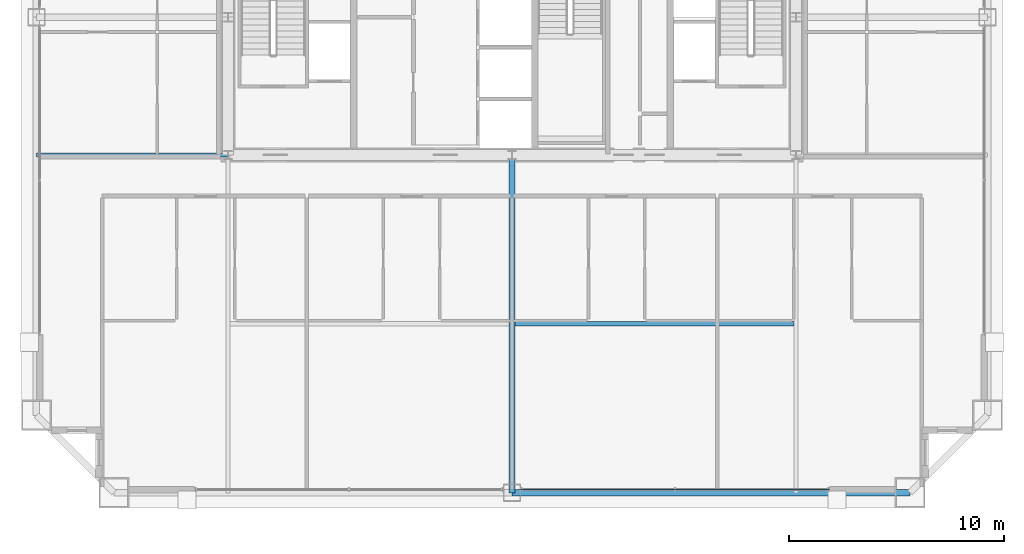
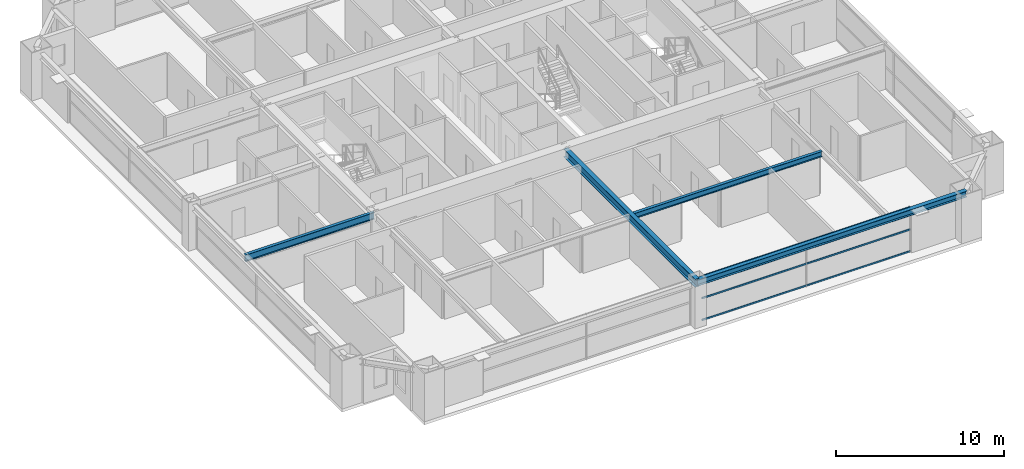
# One storey, part 11 of 38: 4 beams, 3 members, 1 element without a shape of its own.
"""IFC4 building model written with IfcOpenShell, lengths in metres."""

import ifcopenshell
import ifcopenshell.guid

model = None  # the IFC model being written
_history = None  # IfcOwnerHistory: only IFC2X3 demands one
_inside = {}  # id of a spatial element -> (the spatial element, [elements in it])
_under = {}  # id of a project, library or spatial element -> (it, [spatial elements below it])
_declared = {}  # id of a project -> (the project, [libraries it declares])
_typed = {}  # id of a type object -> (the type object, [elements of that type])
_made_of = {}  # id of a material, layer set ... -> (it, [elements and type objects made of it])


def new_model(schema):
    """Start an empty IFC model of exactly this schema.

    Asked for "IFC4X3", IfcOpenShell would pick the latest addendum, in which some entities
    have other attributes; the version numbers below select the first issue.
    IFC2X3 requires an IfcOwnerHistory on every rooted entity: one is made here for all.
    """
    global model, _history
    if schema == "IFC4X3":
        model = ifcopenshell.file(schema_version=(4, 3, 0, 0))
    else:
        model = ifcopenshell.file(schema=schema)
    _inside.clear()
    _under.clear()
    _declared.clear()
    _typed.clear()
    _made_of.clear()
    _history = None
    if model.schema == "IFC2X3":
        org = make("IfcOrganization", Name="unknown")
        user = make(
            "IfcPersonAndOrganization",
            ThePerson=make("IfcPerson", FamilyName="unknown"),
            TheOrganization=org,
        )
        app = make(
            "IfcApplication",
            ApplicationDeveloper=org,
            Version="unknown",
            ApplicationFullName="unknown",
            ApplicationIdentifier="unknown",
        )
        _history = make(
            "IfcOwnerHistory",
            OwningUser=user,
            OwningApplication=app,
            ChangeAction="ADDED",
            CreationDate=0,
        )
    return model


def make(cls, **values):
    """One entity of the class cls with the attributes given. An attribute that is None is left unset."""
    return model.create_entity(
        cls, **{name: value for name, value in values.items() if value is not None}
    )


def rooted(cls, **values):
    """An entity with a GlobalId (a new one), such as an element, a storey or a relation."""
    return make(cls, GlobalId=ifcopenshell.guid.new(), OwnerHistory=_history, **values)


def si_unit(unit_type, name, prefix=None):
    """IfcSIUnit, for example si_unit("LENGTHUNIT", "METRE", prefix="MILLI")."""
    return make("IfcSIUnit", UnitType=unit_type, Prefix=prefix, Name=name)


def assignment(units):
    """IfcUnitAssignment: the units of a project."""
    return None if units is None else make("IfcUnitAssignment", Units=units)


def point(xyz):
    """IfcCartesianPoint."""
    return None if xyz is None else make("IfcCartesianPoint", Coordinates=xyz)


def direction(xyz):
    """IfcDirection."""
    return None if xyz is None else make("IfcDirection", DirectionRatios=xyz)


def frame(location, z_axis=None, x_axis=None):
    """IfcAxis2Placement3D, a coordinate frame: its origin and axes. An axis left out is left unset."""
    return make(
        "IfcAxis2Placement3D",
        Location=point(location),
        Axis=direction(z_axis),
        RefDirection=direction(x_axis),
    )


def frame_2d(location, x_axis=None):
    """IfcAxis2Placement2D, a coordinate frame in the plane: its origin and x axis."""
    return make(
        "IfcAxis2Placement2D", Location=point(location), RefDirection=direction(x_axis)
    )


def origin():
    """The frame at (0, 0, 0) with its axes left unset."""
    return frame((0.0, 0.0, 0.0))


def origin_2d():
    """The frame at (0, 0) in the plane with its x axis left unset."""
    return frame_2d((0.0, 0.0))


def place(relative_to, where):
    """IfcLocalPlacement: puts the frame where relative to a parent placement (None: the world)."""
    return make(
        "IfcLocalPlacement", PlacementRelTo=relative_to, RelativePlacement=where
    )


def context(
    kind, dimensions, precision=None, world=None, true_north=None, identifier=None
):
    """IfcGeometricRepresentationContext, for example the 3D "Model" context."""
    return make(
        "IfcGeometricRepresentationContext",
        ContextIdentifier=identifier,
        ContextType=kind,
        CoordinateSpaceDimension=dimensions,
        Precision=precision,
        WorldCoordinateSystem=world,
        TrueNorth=true_north,
    )


def subcontext(parent, identifier, kind, view, scale=None):
    """IfcGeometricRepresentationSubContext, for example "Body" below "Model"."""
    return make(
        "IfcGeometricRepresentationSubContext",
        ContextIdentifier=identifier,
        ContextType=kind,
        ParentContext=parent,
        TargetScale=scale,
        TargetView=view,
    )


def project(units=None, contexts=None):
    """IfcProject with its units and contexts."""
    return rooted(
        "IfcProject",
        Name="project",
        RepresentationContexts=contexts,
        UnitsInContext=assignment(units),
    )


def spatial(cls, under=None, at=None, **own):
    """A site, building, storey or space (cls), placed at a placement, below another one or the project."""
    s = rooted(cls, ObjectPlacement=at, **own)
    if under is not None:
        _under.setdefault(under.id(), (under, []))[1].append(s)
    return s


def profile(cls, at=None, kind="AREA", **sizes):
    """A parametric profile (cls). Its sizes go by their IFC names, for example OverallWidth=200.0."""
    return make(cls, ProfileType=kind, Position=at, **sizes)


def hollow_rectangle(**sizes):
    """IfcRectangleHollowProfileDef."""
    return profile("IfcRectangleHollowProfileDef", **sizes)


def i_section(**sizes):
    """IfcIShapeProfileDef."""
    return profile("IfcIShapeProfileDef", **sizes)


def extrude(swept, where, along, depth):
    """IfcExtrudedAreaSolid: the profile swept, set in the frame where, extruded along a direction by depth."""
    return make(
        "IfcExtrudedAreaSolid",
        SweptArea=swept,
        Position=where,
        ExtrudedDirection=direction(along),
        Depth=depth,
    )


def shape(context_of_items, identifier, shape_type, items):
    """IfcShapeRepresentation: the items that make up one representation, for example the "Body"."""
    return make(
        "IfcShapeRepresentation",
        ContextOfItems=context_of_items,
        RepresentationIdentifier=identifier,
        RepresentationType=shape_type,
        Items=items,
    )


def source(mapping_origin, context_of_items, identifier, shape_type, items):
    """IfcRepresentationMap: a shape defined once, which mapped items show again and again."""
    return make(
        "IfcRepresentationMap",
        MappingOrigin=mapping_origin,
        MappedRepresentation=shape(context_of_items, identifier, shape_type, items),
    )


def transform(
    local_origin,
    x_axis=None,
    y_axis=None,
    z_axis=None,
    scale=None,
    scale2=None,
    scale3=None,
    uniform=True,
):
    """IfcCartesianTransformationOperator3D, or its non-uniform kind. x_axis, y_axis, z_axis: its Axis1, 2, 3."""
    if uniform:
        return make(
            "IfcCartesianTransformationOperator3D",
            Axis1=direction(x_axis),
            Axis2=direction(y_axis),
            LocalOrigin=point(local_origin),
            Scale=scale,
            Axis3=direction(z_axis),
        )
    return make(
        "IfcCartesianTransformationOperator3DnonUniform",
        Axis1=direction(x_axis),
        Axis2=direction(y_axis),
        LocalOrigin=point(local_origin),
        Scale=scale,
        Axis3=direction(z_axis),
        Scale2=scale2,
        Scale3=scale3,
    )


def mapped(mapping_source, mapping_target):
    """IfcMappedItem: shows the shape of a source again, moved by a transform."""
    return make(
        "IfcMappedItem", MappingSource=mapping_source, MappingTarget=mapping_target
    )


def material(Name=None, Category=None):
    """IfcMaterial."""
    return make("IfcMaterial", Name=Name, Category=Category)


def layer(
    of_material, thickness, ventilated=None, Name=None, Category=None, Priority=None
):
    """IfcMaterialLayer: one layer of a wall or slab, of a material (None: an air gap)."""
    return make(
        "IfcMaterialLayer",
        Material=of_material,
        LayerThickness=thickness,
        IsVentilated=ventilated,
        Name=Name,
        Category=Category,
        Priority=Priority,
    )


def layer_set(layers, Name=None):
    """IfcMaterialLayerSet."""
    return make("IfcMaterialLayerSet", MaterialLayers=layers, LayerSetName=Name)


def material_profile(
    of_material, cross_section, Name=None, Category=None, Priority=None
):
    """IfcMaterialProfile: a cross section and its material."""
    return make(
        "IfcMaterialProfile",
        Name=Name,
        Material=of_material,
        Profile=cross_section,
        Priority=Priority,
        Category=Category,
    )


def profile_set(profiles, Name=None, composite=None):
    """IfcMaterialProfileSet."""
    return make(
        "IfcMaterialProfileSet",
        Name=Name,
        MaterialProfiles=profiles,
        CompositeProfile=composite,
    )


def made_of(thing, what):
    """Note that an element or type object is made of a material, layer set ...; save() writes the relation."""
    if what is not None:
        _made_of.setdefault(what.id(), (what, []))[1].append(thing)
    return thing


def type_object(cls, material=None, **own):
    """A type object (cls), such as IfcWallType, which elements share."""
    return made_of(rooted(cls, **own), material)


def element(
    cls,
    number,
    at=None,
    inside=None,
    cuts=None,
    type_object=None,
    material=None,
    context=None,
    identifier="Body",
    shape_type=None,
    held_by="IfcProductDefinitionShape",
    body=None,
    shapes=None,
    **own,
):
    """One element of the class cls, such as IfcWall. Its Tag is "e" and its number.

    at: its placement. inside: the storey or other place that contains it. cuts: it is an
    opening in that element (IfcRelVoidsElement). A single representation is given by context,
    identifier, shape_type and body (its items); several are given by shapes. held_by: the class
    of the entity that holds the representations. save() writes the other relations.
    """
    e = rooted(cls, Tag="e%d" % number, ObjectPlacement=at, **own)
    if body is not None:
        shapes = [shape(context, identifier, shape_type, body)]
    if shapes is not None:
        e.Representation = make(held_by, Representations=shapes)
    if inside is not None:
        _inside.setdefault(inside.id(), (inside, []))[1].append(e)
    if cuts is not None:
        rooted(
            "IfcRelVoidsElement", RelatingBuildingElement=cuts, RelatedOpeningElement=e
        )
    if type_object is not None:
        _typed.setdefault(type_object.id(), (type_object, []))[1].append(e)
    return made_of(e, material)


def aggregate(whole, parts):
    """IfcRelAggregates: a whole, such as a stair, and the parts it consists of."""
    return rooted("IfcRelAggregates", RelatingObject=whole, RelatedObjects=parts)


def save(model, path):
    """Write the relations noted so far, then the file.

    IfcRelAggregates (storeys below a building ...), IfcRelContainedInSpatialStructure (elements
    in a storey), IfcRelDefinesByType, IfcRelAssociatesMaterial and IfcRelDeclares: one each for
    every whole, place, type object, material and project.
    """
    for whole, parts in _under.values():
        aggregate(whole, parts)
    for where, things in _inside.values():
        rooted(
            "IfcRelContainedInSpatialStructure",
            RelatedElements=things,
            RelatingStructure=where,
        )
    for kind, things in _typed.values():
        rooted("IfcRelDefinesByType", RelatedObjects=things, RelatingType=kind)
    for what, things in _made_of.values():
        rooted("IfcRelAssociatesMaterial", RelatedObjects=things, RelatingMaterial=what)
    for by, libraries in _declared.values():
        rooted("IfcRelDeclares", RelatingContext=by, RelatedDefinitions=libraries)
    model.write(path)


model = new_model("IFC4")

# Units and contexts
model_context = context("Model", 3, precision=1e-05, world=origin(), true_north=direction((0.0, 1.0)))
body_context = subcontext(model_context, "Body", "Model", "MODEL_VIEW")
ifc_project = project(units=[si_unit("LENGTHUNIT", "METRE"), si_unit("AREAUNIT", "SQUARE_METRE"), si_unit("VOLUMEUNIT", "CUBIC_METRE"), si_unit("PLANEANGLEUNIT", "RADIAN"), si_unit("MASSUNIT", "GRAM", prefix="KILO"), si_unit("THERMODYNAMICTEMPERATUREUNIT", "KELVIN"), si_unit("POWERUNIT", "WATT")], contexts=[model_context])

# Site, building, storey
site_placement = place(None, origin())
site = spatial("IfcSite", under=ifc_project, at=site_placement, CompositionType="ELEMENT")
building_placement = place(site_placement, origin())
building = spatial("IfcBuilding", under=site, at=building_placement, Name="Yuzanri Waterfront Tower", CompositionType="ELEMENT")
storey_placement = place(building_placement, frame((0.0, 0.0, 181.0)))
storey = spatial("IfcBuildingStorey", under=building, at=storey_placement, Name="L47", CompositionType="ELEMENT", Elevation=181.0)

# Beams
ifc_material_1 = material(Name="Steel Q355B", Category="steel")
ifc_material_profile_1 = material_profile(ifc_material_1, i_section(OverallWidth=0.199951171875, OverallDepth=0.39990234375, WebThickness=0.008056640625, FlangeThickness=0.012939453125, at=origin_2d()), Name="HN 400x200x8x13")
ifc_profile_set_1 = profile_set([ifc_material_profile_1], Name="Steel Q355B")
beam_type_1 = type_object("IfcBeamType", Name="Floor Joist Q355B HN 400x200", PredefinedType="JOIST", material=ifc_profile_set_1)
shared_shape_1 = source(origin(), body_context, "Body", "SweptSolid", [
    extrude(i_section(OverallWidth=0.199951171875, OverallDepth=0.39990234375, WebThickness=0.008056640625, FlangeThickness=0.012939453125, at=origin_2d()), origin(), (0.0, 0.0, 1.0), 12.9501953125),
])
beam_1_placement = place(storey_placement, frame((37.14990234375, 11.550048828125, 3.080078125), z_axis=(1.0, 0.0, 0.0), x_axis=(0.0, 1.0, 0.0)))
element("IfcBeam", 1, at=beam_1_placement, inside=storey, type_object=beam_type_1, Name="L47 South Bay Joist E", PredefinedType="JOIST", context=body_context, shape_type="MappedRepresentation", body=[
    mapped(shared_shape_1, transform((0.0, 0.0, 0.0), scale=1.0)),
])
ifc_material_2 = material(Name="Steel Q355B", Category="steel")
ifc_material_profile_2 = material_profile(ifc_material_2, i_section(OverallWidth=0.300048828125, OverallDepth=0.43994140625, WebThickness=0.010986328125, FlangeThickness=0.01806640625, at=origin_2d()), Name="HM 440x300x11x18")
ifc_profile_set_2 = profile_set([ifc_material_profile_2], Name="Steel Q355B")
beam_type_2 = type_object("IfcBeamType", Name="Perimeter Spandrel Q355B HM 440x300", PredefinedType="SPANDREL", material=ifc_profile_set_2)
shared_shape_2 = source(origin(), body_context, "Body", "SweptSolid", [
    extrude(i_section(OverallWidth=0.300048828125, OverallDepth=0.43994140625, WebThickness=0.010986328125, FlangeThickness=0.01806640625, at=origin_2d()), origin(), (0.0, 0.0, 1.0), 18.5),
])
beam_2_placement = place(storey_placement, frame((37.0, 3.699951171875, 3.06005859375), z_axis=(1.0, 0.0, 0.0), x_axis=(0.0, 1.0, 0.0)))
element("IfcBeam", 2, at=beam_2_placement, inside=storey, type_object=beam_type_2, Name="L47 Perimeter Spandrel S2-S3", PredefinedType="SPANDREL", context=body_context, shape_type="MappedRepresentation", body=[
    mapped(shared_shape_2, transform((0.0, 0.0, 0.0), scale=1.0)),
])
ifc_material_3 = material(Name="Steel Q355B", Category="steel")
ifc_material_profile_3 = material_profile(ifc_material_3, i_section(OverallWidth=0.300048828125, OverallDepth=0.587890625, WebThickness=0.011962890625, FlangeThickness=0.02001953125, at=origin_2d()), Name="HM 588x300x12x20")
ifc_profile_set_3 = profile_set([ifc_material_profile_3], Name="Steel Q355B")
beam_type_3 = type_object("IfcBeamType", Name="Primary Floor Girder Q355B HM 588x300", PredefinedType="BEAM", material=ifc_profile_set_3)
shared_shape_3 = source(origin(), body_context, "Body", "SweptSolid", [
    extrude(i_section(OverallWidth=0.300048828125, OverallDepth=0.587890625, WebThickness=0.011962890625, FlangeThickness=0.02001953125, at=origin_2d()), origin(), (0.0, 0.0, 1.0), 15.699951171875),
])
beam_3_placement = place(storey_placement, frame((37.0, 19.39990234375, 2.986083984375), z_axis=(0.0, -1.0, 0.0), x_axis=(1.0, 0.0, 0.0)))
element("IfcBeam", 3, at=beam_3_placement, inside=storey, type_object=beam_type_3, Name="L47 South Grid Girder", PredefinedType="BEAM", context=body_context, shape_type="MappedRepresentation", body=[
    mapped(shared_shape_3, transform((0.0, 0.0, 0.0), scale=1.0)),
])
ifc_material_4 = material(Name="Steel Q355B", Category="steel")
ifc_material_profile_4 = material_profile(ifc_material_4, i_section(OverallWidth=0.199951171875, OverallDepth=0.5, WebThickness=0.010009765625, FlangeThickness=0.01611328125, at=origin_2d()), Name="HN 500x200x10x16")
ifc_profile_set_4 = profile_set([ifc_material_profile_4], Name="Steel Q355B")
beam_type_4 = type_object("IfcBeamType", Name="Secondary Floor Beam Q355B HN 500x200", PredefinedType="BEAM", material=ifc_profile_set_4)
shared_shape_4 = source(origin(), body_context, "Body", "SweptSolid", [
    extrude(i_section(OverallWidth=0.199951171875, OverallDepth=0.5, WebThickness=0.010009765625, FlangeThickness=0.01611328125, at=origin_2d()), origin(), (0.0, 0.0, 1.0), 8.900146484375),
])
beam_4_placement = place(storey_placement, frame((23.800048828125, 19.39990234375, 3.030029296875), z_axis=(-1.0, 0.0, 0.0), x_axis=(0.0, -1.0, 0.0)))
element("IfcBeam", 4, at=beam_4_placement, inside=storey, type_object=beam_type_4, Name="L47 West-South Core Line Beam", PredefinedType="BEAM", context=body_context, shape_type="MappedRepresentation", body=[
    mapped(shared_shape_4, transform((0.0, 0.0, 0.0), scale=1.0)),
])

# Curtain wall, members
ifc_material_5 = material(Name="Anodized Architectural Bronze", Category="metal")
ifc_layer = layer(ifc_material_5, 0.159912109375)
ifc_layer_set = layer_set([ifc_layer], Name="Anodized Architectural Bronze")
curtain_wall_type = type_object("IfcCurtainWallType", Name="Anodized Bronze Mid-Rise Residential Acoustic Unitized Curtain Wall 7200", PredefinedType="NOTDEFINED", material=ifc_layer_set)
curtain_wall_placement = place(storey_placement, origin())
curtain_wall = element("IfcCurtainWall", 5, at=curtain_wall_placement, inside=storey, type_object=curtain_wall_type, Name="L47 Curtain Wall CW-L47-SR", PredefinedType="NOTDEFINED")
ifc_material_6 = material(Name="Anodized Architectural Bronze", Category="metal")
ifc_material_profile_5 = material_profile(ifc_material_6, hollow_rectangle(XDim=0.06494140625, YDim=0.1201171875, WallThickness=0.00341796875, at=origin_2d()), Name="CWT 65x120")
ifc_profile_set_5 = profile_set([ifc_material_profile_5], Name="Anodized Architectural Bronze")
member_type = type_object("IfcMemberType", Name="Anodized Bronze Secondary Curtain-Wall Transom 65x120", PredefinedType="USERDEFINED", material=ifc_profile_set_5)
shared_shape_5 = source(origin(), body_context, "Body", "SweptSolid", [
    extrude(hollow_rectangle(XDim=0.06494140625, YDim=0.1201171875, WallThickness=0.00341796875, at=origin_2d()), origin(), (0.0, 0.0, 1.0), 14.35009765625),
])
member_1_placement = place(storey_placement, frame((37.39990234375, 3.85009765625, 0.050048828125), z_axis=(1.0, 0.0, 0.0), x_axis=(0.0, 1.0, 0.0)))
member_1 = element("IfcMember", 6, at=member_1_placement, type_object=member_type, Name="CW-L47-SR Transom 1", ObjectType="TRANSOM", PredefinedType="USERDEFINED", context=body_context, shape_type="MappedRepresentation", body=[
    mapped(shared_shape_5, transform((0.0, 0.0, 0.0), scale=1.0)),
])
member_2_placement = place(storey_placement, frame((37.39990234375, 3.85009765625, 1.639892578125), z_axis=(1.0, 0.0, 0.0), x_axis=(0.0, 1.0, 0.0)))
member_2 = element("IfcMember", 7, at=member_2_placement, type_object=member_type, Name="CW-L47-SR Transom 2", ObjectType="TRANSOM", PredefinedType="USERDEFINED", context=body_context, shape_type="MappedRepresentation", body=[
    mapped(shared_shape_5, transform((0.0, 0.0, 0.0), scale=1.0)),
])
member_3_placement = place(storey_placement, frame((37.39990234375, 3.85009765625, 3.22998046875), z_axis=(1.0, 0.0, 0.0), x_axis=(0.0, 1.0, 0.0)))
member_3 = element("IfcMember", 8, at=member_3_placement, type_object=member_type, Name="CW-L47-SR Transom 3", ObjectType="TRANSOM", PredefinedType="USERDEFINED", context=body_context, shape_type="MappedRepresentation", body=[
    mapped(shared_shape_5, transform((0.0, 0.0, 0.0), scale=1.0)),
])
aggregate(curtain_wall, [member_1, member_2, member_3])

save(model, "model.ifc")
